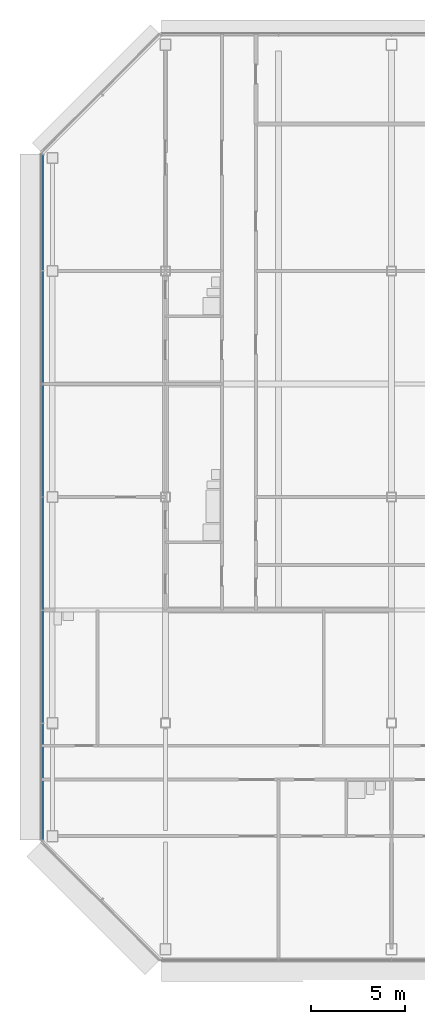
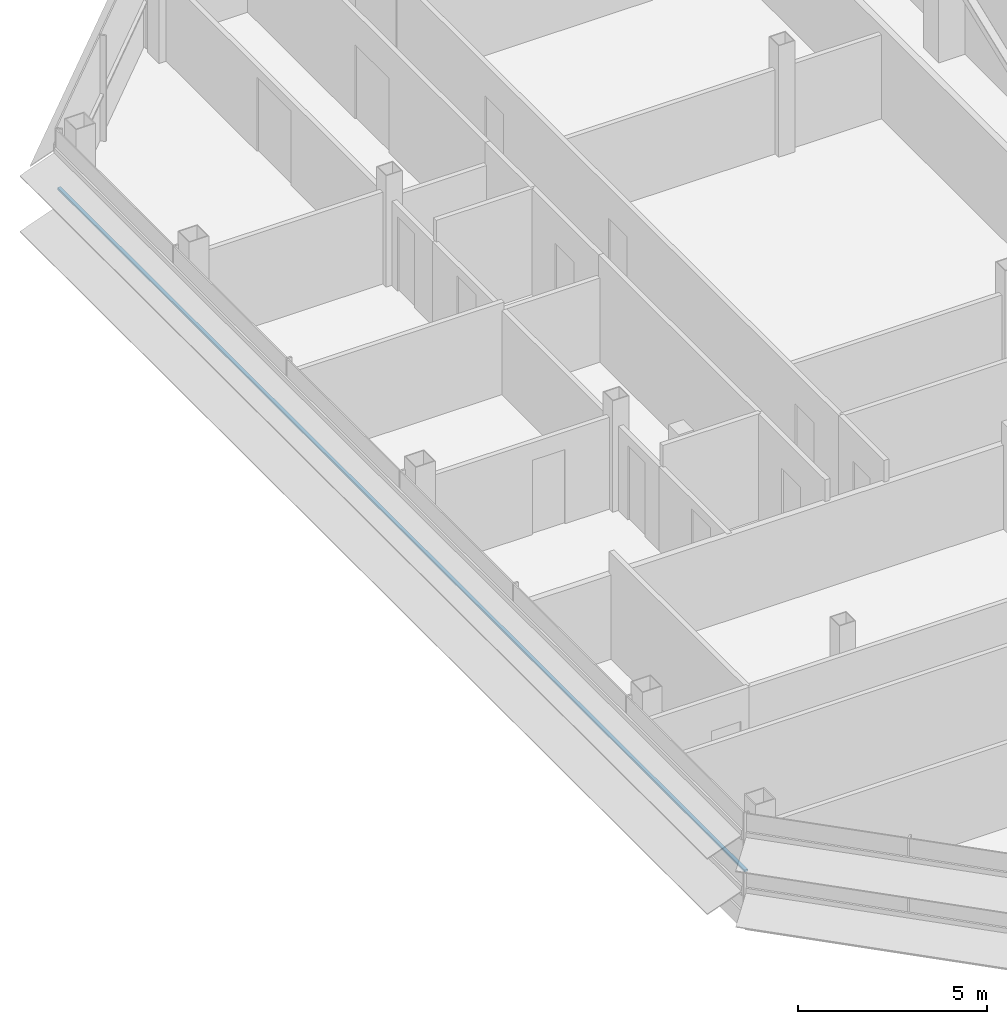
# One storey, part 6 of 28: 1 member, 1 element without a shape of its own.
"""IFC4 building model written with IfcOpenShell, lengths in metres."""

import ifcopenshell
import ifcopenshell.guid

model = None  # the IFC model being written
_history = None  # IfcOwnerHistory: only IFC2X3 demands one
_inside = {}  # id of a spatial element -> (the spatial element, [elements in it])
_under = {}  # id of a project, library or spatial element -> (it, [spatial elements below it])
_declared = {}  # id of a project -> (the project, [libraries it declares])
_typed = {}  # id of a type object -> (the type object, [elements of that type])
_made_of = {}  # id of a material, layer set ... -> (it, [elements and type objects made of it])


def new_model(schema):
    """Start an empty IFC model of exactly this schema.

    Asked for "IFC4X3", IfcOpenShell would pick the latest addendum, in which some entities
    have other attributes; the version numbers below select the first issue.
    IFC2X3 requires an IfcOwnerHistory on every rooted entity: one is made here for all.
    """
    global model, _history
    if schema == "IFC4X3":
        model = ifcopenshell.file(schema_version=(4, 3, 0, 0))
    else:
        model = ifcopenshell.file(schema=schema)
    _inside.clear()
    _under.clear()
    _declared.clear()
    _typed.clear()
    _made_of.clear()
    _history = None
    if model.schema == "IFC2X3":
        org = make("IfcOrganization", Name="unknown")
        user = make(
            "IfcPersonAndOrganization",
            ThePerson=make("IfcPerson", FamilyName="unknown"),
            TheOrganization=org,
        )
        app = make(
            "IfcApplication",
            ApplicationDeveloper=org,
            Version="unknown",
            ApplicationFullName="unknown",
            ApplicationIdentifier="unknown",
        )
        _history = make(
            "IfcOwnerHistory",
            OwningUser=user,
            OwningApplication=app,
            ChangeAction="ADDED",
            CreationDate=0,
        )
    return model


def make(cls, **values):
    """One entity of the class cls with the attributes given. An attribute that is None is left unset."""
    return model.create_entity(
        cls, **{name: value for name, value in values.items() if value is not None}
    )


def rooted(cls, **values):
    """An entity with a GlobalId (a new one), such as an element, a storey or a relation."""
    return make(cls, GlobalId=ifcopenshell.guid.new(), OwnerHistory=_history, **values)


def si_unit(unit_type, name, prefix=None):
    """IfcSIUnit, for example si_unit("LENGTHUNIT", "METRE", prefix="MILLI")."""
    return make("IfcSIUnit", UnitType=unit_type, Prefix=prefix, Name=name)


def assignment(units):
    """IfcUnitAssignment: the units of a project."""
    return None if units is None else make("IfcUnitAssignment", Units=units)


def point(xyz):
    """IfcCartesianPoint."""
    return None if xyz is None else make("IfcCartesianPoint", Coordinates=xyz)


def direction(xyz):
    """IfcDirection."""
    return None if xyz is None else make("IfcDirection", DirectionRatios=xyz)


def frame(location, z_axis=None, x_axis=None):
    """IfcAxis2Placement3D, a coordinate frame: its origin and axes. An axis left out is left unset."""
    return make(
        "IfcAxis2Placement3D",
        Location=point(location),
        Axis=direction(z_axis),
        RefDirection=direction(x_axis),
    )


def frame_2d(location, x_axis=None):
    """IfcAxis2Placement2D, a coordinate frame in the plane: its origin and x axis."""
    return make(
        "IfcAxis2Placement2D", Location=point(location), RefDirection=direction(x_axis)
    )


def origin():
    """The frame at (0, 0, 0) with its axes left unset."""
    return frame((0.0, 0.0, 0.0))


def origin_2d():
    """The frame at (0, 0) in the plane with its x axis left unset."""
    return frame_2d((0.0, 0.0))


def place(relative_to, where):
    """IfcLocalPlacement: puts the frame where relative to a parent placement (None: the world)."""
    return make(
        "IfcLocalPlacement", PlacementRelTo=relative_to, RelativePlacement=where
    )


def context(
    kind, dimensions, precision=None, world=None, true_north=None, identifier=None
):
    """IfcGeometricRepresentationContext, for example the 3D "Model" context."""
    return make(
        "IfcGeometricRepresentationContext",
        ContextIdentifier=identifier,
        ContextType=kind,
        CoordinateSpaceDimension=dimensions,
        Precision=precision,
        WorldCoordinateSystem=world,
        TrueNorth=true_north,
    )


def subcontext(parent, identifier, kind, view, scale=None):
    """IfcGeometricRepresentationSubContext, for example "Body" below "Model"."""
    return make(
        "IfcGeometricRepresentationSubContext",
        ContextIdentifier=identifier,
        ContextType=kind,
        ParentContext=parent,
        TargetScale=scale,
        TargetView=view,
    )


def project(units=None, contexts=None):
    """IfcProject with its units and contexts."""
    return rooted(
        "IfcProject",
        Name="project",
        RepresentationContexts=contexts,
        UnitsInContext=assignment(units),
    )


def spatial(cls, under=None, at=None, **own):
    """A site, building, storey or space (cls), placed at a placement, below another one or the project."""
    s = rooted(cls, ObjectPlacement=at, **own)
    if under is not None:
        _under.setdefault(under.id(), (under, []))[1].append(s)
    return s


def profile(cls, at=None, kind="AREA", **sizes):
    """A parametric profile (cls). Its sizes go by their IFC names, for example OverallWidth=200.0."""
    return make(cls, ProfileType=kind, Position=at, **sizes)


def rectangle(**sizes):
    """IfcRectangleProfileDef."""
    return profile("IfcRectangleProfileDef", **sizes)


def extrude(swept, where, along, depth):
    """IfcExtrudedAreaSolid: the profile swept, set in the frame where, extruded along a direction by depth."""
    return make(
        "IfcExtrudedAreaSolid",
        SweptArea=swept,
        Position=where,
        ExtrudedDirection=direction(along),
        Depth=depth,
    )


def shape(context_of_items, identifier, shape_type, items):
    """IfcShapeRepresentation: the items that make up one representation, for example the "Body"."""
    return make(
        "IfcShapeRepresentation",
        ContextOfItems=context_of_items,
        RepresentationIdentifier=identifier,
        RepresentationType=shape_type,
        Items=items,
    )


def material(Name=None, Category=None):
    """IfcMaterial."""
    return make("IfcMaterial", Name=Name, Category=Category)


def material_profile(
    of_material, cross_section, Name=None, Category=None, Priority=None
):
    """IfcMaterialProfile: a cross section and its material."""
    return make(
        "IfcMaterialProfile",
        Name=Name,
        Material=of_material,
        Profile=cross_section,
        Priority=Priority,
        Category=Category,
    )


def profile_set(profiles, Name=None, composite=None):
    """IfcMaterialProfileSet."""
    return make(
        "IfcMaterialProfileSet",
        Name=Name,
        MaterialProfiles=profiles,
        CompositeProfile=composite,
    )


def made_of(thing, what):
    """Note that an element or type object is made of a material, layer set ...; save() writes the relation."""
    if what is not None:
        _made_of.setdefault(what.id(), (what, []))[1].append(thing)
    return thing


def type_object(cls, material=None, **own):
    """A type object (cls), such as IfcWallType, which elements share."""
    return made_of(rooted(cls, **own), material)


def element(
    cls,
    number,
    at=None,
    inside=None,
    cuts=None,
    type_object=None,
    material=None,
    context=None,
    identifier="Body",
    shape_type=None,
    held_by="IfcProductDefinitionShape",
    body=None,
    shapes=None,
    **own,
):
    """One element of the class cls, such as IfcWall. Its Tag is "e" and its number.

    at: its placement. inside: the storey or other place that contains it. cuts: it is an
    opening in that element (IfcRelVoidsElement). A single representation is given by context,
    identifier, shape_type and body (its items); several are given by shapes. held_by: the class
    of the entity that holds the representations. save() writes the other relations.
    """
    e = rooted(cls, Tag="e%d" % number, ObjectPlacement=at, **own)
    if body is not None:
        shapes = [shape(context, identifier, shape_type, body)]
    if shapes is not None:
        e.Representation = make(held_by, Representations=shapes)
    if inside is not None:
        _inside.setdefault(inside.id(), (inside, []))[1].append(e)
    if cuts is not None:
        rooted(
            "IfcRelVoidsElement", RelatingBuildingElement=cuts, RelatedOpeningElement=e
        )
    if type_object is not None:
        _typed.setdefault(type_object.id(), (type_object, []))[1].append(e)
    return made_of(e, material)


def aggregate(whole, parts):
    """IfcRelAggregates: a whole, such as a stair, and the parts it consists of."""
    return rooted("IfcRelAggregates", RelatingObject=whole, RelatedObjects=parts)


def save(model, path):
    """Write the relations noted so far, then the file.

    IfcRelAggregates (storeys below a building ...), IfcRelContainedInSpatialStructure (elements
    in a storey), IfcRelDefinesByType, IfcRelAssociatesMaterial and IfcRelDeclares: one each for
    every whole, place, type object, material and project.
    """
    for whole, parts in _under.values():
        aggregate(whole, parts)
    for where, things in _inside.values():
        rooted(
            "IfcRelContainedInSpatialStructure",
            RelatedElements=things,
            RelatingStructure=where,
        )
    for kind, things in _typed.values():
        rooted("IfcRelDefinesByType", RelatedObjects=things, RelatingType=kind)
    for what, things in _made_of.values():
        rooted("IfcRelAssociatesMaterial", RelatedObjects=things, RelatingMaterial=what)
    for by, libraries in _declared.values():
        rooted("IfcRelDeclares", RelatingContext=by, RelatedDefinitions=libraries)
    model.write(path)


model = new_model("IFC4")

# Units and contexts
model_context = context("Model", 3, precision=1e-05, world=origin(), true_north=direction((0.0, 1.0)))
body_context = subcontext(model_context, "Body", "Model", "MODEL_VIEW")
ifc_project = project(units=[si_unit("LENGTHUNIT", "METRE"), si_unit("AREAUNIT", "SQUARE_METRE"), si_unit("VOLUMEUNIT", "CUBIC_METRE"), si_unit("PLANEANGLEUNIT", "RADIAN"), si_unit("MASSUNIT", "GRAM", prefix="KILO")], contexts=[model_context])

# Site, building, storey
site_placement = place(None, origin())
site = spatial("IfcSite", under=ifc_project, at=site_placement, CompositionType="ELEMENT")
building_placement = place(site_placement, origin())
building = spatial("IfcBuilding", under=site, at=building_placement, Name="Sorahane Residences", CompositionType="ELEMENT")
storey_placement = place(building_placement, frame((0.0, 0.0, 290.800048828125)))
storey = spatial("IfcBuildingStorey", under=building, at=storey_placement, Name="L68", CompositionType="ELEMENT", Elevation=290.800048828125)

# Curtain wall, member
ifc_material_1 = material(Name="Dark low-e glass and black anodised aluminium", Category="aluminium")
curtain_wall_type = type_object("IfcCurtainWallType", Name="Curtain wall CW-1 Typical unitised wall", PredefinedType="NOTDEFINED", material=ifc_material_1)
curtain_wall_placement = place(storey_placement, origin())
curtain_wall = element("IfcCurtainWall", 1, at=curtain_wall_placement, inside=storey, type_object=curtain_wall_type, Name="CW-1 curtain wall L68 W1", PredefinedType="NOTDEFINED")
ifc_material_2 = material(Name="Black anodised aluminium", Category="aluminium")
ifc_material_profile = material_profile(ifc_material_2, rectangle(XDim=0.10009765625, YDim=0.06005859375, at=origin_2d()), Name="Curtain wall transom CW-1 black anodised aluminium 60x100")
ifc_profile_set = profile_set([ifc_material_profile], Name="Black anodised aluminium")
member_type = type_object("IfcMemberType", Name="Curtain wall transom CW-1 black anodised aluminium 60x100", PredefinedType="USERDEFINED", material=ifc_profile_set)
member_placement = place(storey_placement, frame((-18.530029296875, 42.198486328125, 1.5), z_axis=(0.0, -1.0, 0.0), x_axis=(1.0, 0.0, 0.0)))
member = element("IfcMember", 2, at=member_placement, type_object=member_type, Name="CW-1 transom L68 W1", ObjectType="TRANSOM", PredefinedType="USERDEFINED", context=body_context, shape_type="SweptSolid", body=[
    extrude(rectangle(XDim=0.10009765625, YDim=0.06005859375, at=origin_2d()), origin(), (0.0, 0.0, 1.0), 36.39697265625),
])
aggregate(curtain_wall, [member])

save(model, "model.ifc")
